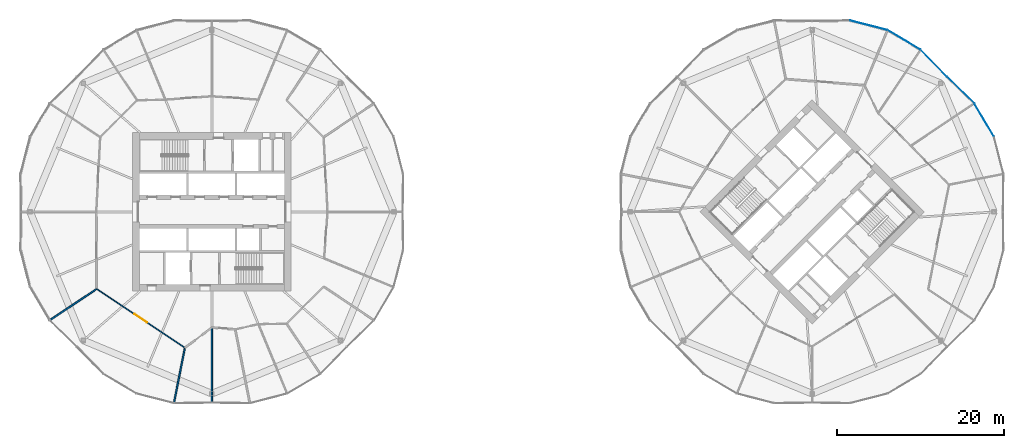
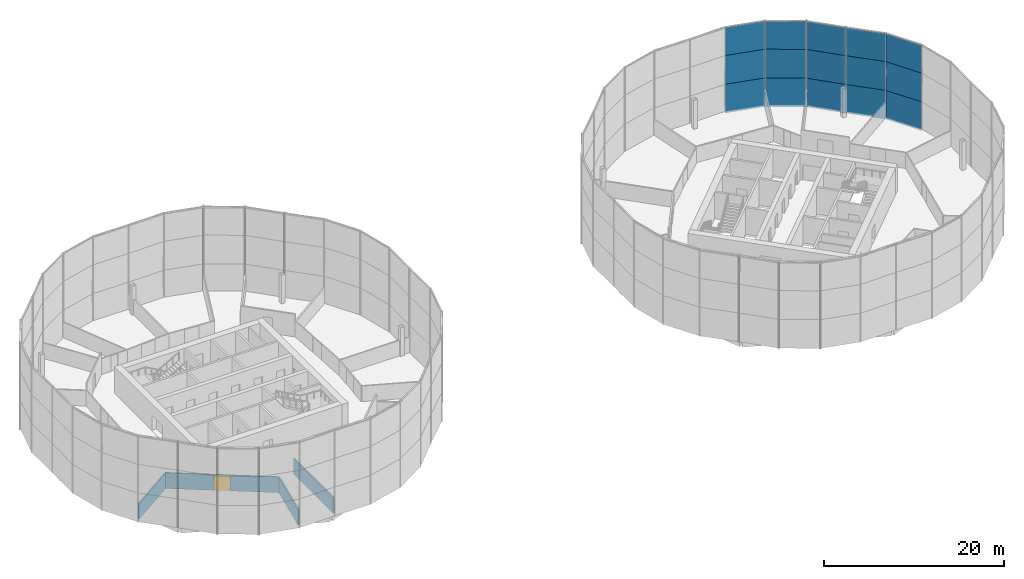
# One storey, part 19 of 25: 15 plates, 4 walls, 1 door, 1 opening, 2 elements without a shape of their own.
"""IFC4 building model written with IfcOpenShell, lengths in metres."""

from ifc_helpers import new_model, si_unit, direction, frame, frame_2d, origin, origin_2d, place, context, subcontext, project, spatial, rectangle, extrude, material, layer, layer_set, type_object, element, fill, aggregate, save


model = new_model("IFC4")

# Units and contexts
model_context = context("Model", 3, precision=1e-05, world=origin(), true_north=direction((0.0, 1.0)))
body_context = subcontext(model_context, "Body", "Model", "MODEL_VIEW")
ifc_project = project(units=[si_unit("LENGTHUNIT", "METRE"), si_unit("AREAUNIT", "SQUARE_METRE"), si_unit("VOLUMEUNIT", "CUBIC_METRE"), si_unit("PLANEANGLEUNIT", "RADIAN"), si_unit("MASSUNIT", "GRAM", prefix="KILO")], contexts=[model_context])

# Site, building, storey
site_placement = place(None, origin())
site = spatial("IfcSite", under=ifc_project, at=site_placement, CompositionType="ELEMENT")
building_placement = place(site_placement, origin())
building = spatial("IfcBuilding", under=site, at=building_placement, Name="Ogive Gate Towers", CompositionType="ELEMENT")
storey_placement = place(building_placement, frame((0.0, 0.0, 44.10009765625)))
storey = spatial("IfcBuildingStorey", under=building, at=storey_placement, Name="L09", CompositionType="ELEMENT", Elevation=44.10009765625)

# Curtain wall, plates
ifc_material_1 = material(Name="Pale metal aluminium", Category="aluminium")
curtain_wall_type = type_object("IfcCurtainWallType", Name="Tower unitised wall, low zone", PredefinedType="NOTDEFINED", material=ifc_material_1)
curtain_wall_1_placement = place(storey_placement, origin())
curtain_wall_1 = element("IfcCurtainWall", 1, at=curtain_wall_1_placement, inside=storey, type_object=curtain_wall_type, Name="CW1 T2 ECW01", PredefinedType="NOTDEFINED")
ifc_material_2 = material(Name="Clear glass", Category="glass")
ifc_layer_1 = layer(ifc_material_2, 0.028076171875)
ifc_layer_set_1 = layer_set([ifc_layer_1], Name="Tower unitised wall, low zone glass panel")
plate_type = type_object("IfcPlateType", Name="Tower unitised wall, low zone glass panel", PredefinedType="CURTAIN_PANEL", material=ifc_layer_set_1)
plate_1_placement = place(storey_placement, frame((56.62841796875, 11.01953125, -0.300048828125), z_axis=(0.0, 0.0, 1.0), x_axis=(-0.509176614511, 0.860662056347, 0.0)))
plate_1 = element("IfcPlate", 2, at=plate_1_placement, type_object=plate_type, Name="CW1 glass panel", PredefinedType="CURTAIN_PANEL", context=body_context, shape_type="SweptSolid", body=[
    extrude(rectangle(XDim=4.55712890625, YDim=0.028076171875, at=origin_2d()), origin(), (0.0, 0.0, 1.0), 3.89990234375),
])
plate_2_placement = place(storey_placement, frame((56.62841796875, 11.01953125, 3.599853515625), z_axis=(0.0, 0.0, 1.0), x_axis=(-0.509176614511, 0.860662056347, 0.0)))
plate_2 = element("IfcPlate", 3, at=plate_2_placement, type_object=plate_type, Name="CW1 glass panel", PredefinedType="CURTAIN_PANEL", context=body_context, shape_type="SweptSolid", body=[
    extrude(rectangle(XDim=4.55712890625, YDim=0.028076171875, at=origin_2d()), origin(), (0.0, 0.0, 1.0), 3.89990234375),
])
plate_3_placement = place(storey_placement, frame((56.62841796875, 11.01953125, 7.5), z_axis=(0.0, 0.0, 1.0), x_axis=(-0.509176614511, 0.860662056347, 0.0)))
plate_3 = element("IfcPlate", 4, at=plate_3_placement, type_object=plate_type, Name="CW1 glass panel", PredefinedType="CURTAIN_PANEL", context=body_context, shape_type="SweptSolid", body=[
    extrude(rectangle(XDim=4.55712890625, YDim=0.028076171875, at=origin_2d()), origin(), (0.0, 0.0, 1.0), 3.803955078125),
])
plate_4_placement = place(storey_placement, frame((53.8212890625, 14.601318359375, -0.300048828125), z_axis=(0.0, 0.0, 1.0), x_axis=(-0.715204973482, 0.698914762976, 0.0)))
plate_4 = element("IfcPlate", 5, at=plate_4_placement, type_object=plate_type, Name="CW1 glass panel", PredefinedType="CURTAIN_PANEL", context=body_context, shape_type="SweptSolid", body=[
    extrude(rectangle(XDim=4.5, YDim=0.028076171875, at=origin_2d()), origin(), (0.0, 0.0, 1.0), 3.89990234375),
])
plate_5_placement = place(storey_placement, frame((53.8212890625, 14.601318359375, 3.599853515625), z_axis=(0.0, 0.0, 1.0), x_axis=(-0.715204973482, 0.698914762976, 0.0)))
plate_5 = element("IfcPlate", 6, at=plate_5_placement, type_object=plate_type, Name="CW1 glass panel", PredefinedType="CURTAIN_PANEL", context=body_context, shape_type="SweptSolid", body=[
    extrude(rectangle(XDim=4.5, YDim=0.028076171875, at=origin_2d()), origin(), (0.0, 0.0, 1.0), 3.89990234375),
])
plate_6_placement = place(storey_placement, frame((53.8212890625, 14.601318359375, 7.5), z_axis=(0.0, 0.0, 1.0), x_axis=(-0.715204973482, 0.698914762976, 0.0)))
plate_6 = element("IfcPlate", 7, at=plate_6_placement, type_object=plate_type, Name="CW1 glass panel", PredefinedType="CURTAIN_PANEL", context=body_context, shape_type="SweptSolid", body=[
    extrude(rectangle(XDim=4.5, YDim=0.028076171875, at=origin_2d()), origin(), (0.0, 0.0, 1.0), 3.803955078125),
])
aggregate(curtain_wall_1, [plate_1, plate_2, plate_3, plate_4, plate_5, plate_6])

curtain_wall_2_placement = place(storey_placement, origin())
curtain_wall_2 = element("IfcCurtainWall", 8, at=curtain_wall_2_placement, inside=storey, type_object=curtain_wall_type, Name="CW1 T2 ECW02", PredefinedType="NOTDEFINED")
plate_7_placement = place(storey_placement, frame((50.601318359375, 17.8212890625, -0.300048828125), z_axis=(0.0, 0.0, 1.0), x_axis=(-0.698914762976, 0.715204973482, 0.0)))
plate_7 = element("IfcPlate", 9, at=plate_7_placement, type_object=plate_type, Name="CW1 glass panel", PredefinedType="CURTAIN_PANEL", context=body_context, shape_type="SweptSolid", body=[
    extrude(rectangle(XDim=4.5, YDim=0.028076171875, at=origin_2d()), origin(), (0.0, 0.0, 1.0), 3.89990234375),
])
plate_8_placement = place(storey_placement, frame((50.601318359375, 17.8212890625, 3.599853515625), z_axis=(0.0, 0.0, 1.0), x_axis=(-0.698914762976, 0.715204973482, 0.0)))
plate_8 = element("IfcPlate", 10, at=plate_8_placement, type_object=plate_type, Name="CW1 glass panel", PredefinedType="CURTAIN_PANEL", context=body_context, shape_type="SweptSolid", body=[
    extrude(rectangle(XDim=4.5, YDim=0.028076171875, at=origin_2d()), origin(), (0.0, 0.0, 1.0), 3.89990234375),
])
plate_9_placement = place(storey_placement, frame((50.601318359375, 17.8212890625, 7.5), z_axis=(0.0, 0.0, 1.0), x_axis=(-0.698914762976, 0.715204973482, 0.0)))
plate_9 = element("IfcPlate", 11, at=plate_9_placement, type_object=plate_type, Name="CW1 glass panel", PredefinedType="CURTAIN_PANEL", context=body_context, shape_type="SweptSolid", body=[
    extrude(rectangle(XDim=4.5, YDim=0.028076171875, at=origin_2d()), origin(), (0.0, 0.0, 1.0), 3.803955078125),
])
plate_10_placement = place(storey_placement, frame((47.01953125, 20.62841796875, -0.300048828125), z_axis=(0.0, 0.0, 1.0), x_axis=(-0.860662056347, 0.509176614511, 0.0)))
plate_10 = element("IfcPlate", 12, at=plate_10_placement, type_object=plate_type, Name="CW1 glass panel", PredefinedType="CURTAIN_PANEL", context=body_context, shape_type="SweptSolid", body=[
    extrude(rectangle(XDim=4.55712890625, YDim=0.028076171875, at=origin_2d()), origin(), (0.0, 0.0, 1.0), 3.89990234375),
])
plate_11_placement = place(storey_placement, frame((47.01953125, 20.62841796875, 3.599853515625), z_axis=(0.0, 0.0, 1.0), x_axis=(-0.860662056347, 0.509176614511, 0.0)))
plate_11 = element("IfcPlate", 13, at=plate_11_placement, type_object=plate_type, Name="CW1 glass panel", PredefinedType="CURTAIN_PANEL", context=body_context, shape_type="SweptSolid", body=[
    extrude(rectangle(XDim=4.55712890625, YDim=0.028076171875, at=origin_2d()), origin(), (0.0, 0.0, 1.0), 3.89990234375),
])
plate_12_placement = place(storey_placement, frame((47.01953125, 20.62841796875, 7.5), z_axis=(0.0, 0.0, 1.0), x_axis=(-0.860662056347, 0.509176614511, 0.0)))
plate_12 = element("IfcPlate", 14, at=plate_12_placement, type_object=plate_type, Name="CW1 glass panel", PredefinedType="CURTAIN_PANEL", context=body_context, shape_type="SweptSolid", body=[
    extrude(rectangle(XDim=4.55712890625, YDim=0.028076171875, at=origin_2d()), origin(), (0.0, 0.0, 1.0), 3.803955078125),
])
plate_13_placement = place(storey_placement, frame((42.794677734375, 22.37841796875, -0.300048828125), z_axis=(0.0, 0.0, 1.0), x_axis=(-0.96862655095, 0.248520833726, 0.0)))
plate_13 = element("IfcPlate", 15, at=plate_13_placement, type_object=plate_type, Name="CW1 glass panel", PredefinedType="CURTAIN_PANEL", context=body_context, shape_type="SweptSolid", body=[
    extrude(rectangle(XDim=4.55712890625, YDim=0.028076171875, at=origin_2d()), origin(), (0.0, 0.0, 1.0), 3.89990234375),
])
plate_14_placement = place(storey_placement, frame((42.794677734375, 22.37841796875, 3.599853515625), z_axis=(0.0, 0.0, 1.0), x_axis=(-0.96862655095, 0.248520833726, 0.0)))
plate_14 = element("IfcPlate", 16, at=plate_14_placement, type_object=plate_type, Name="CW1 glass panel", PredefinedType="CURTAIN_PANEL", context=body_context, shape_type="SweptSolid", body=[
    extrude(rectangle(XDim=4.55712890625, YDim=0.028076171875, at=origin_2d()), origin(), (0.0, 0.0, 1.0), 3.89990234375),
])
plate_15_placement = place(storey_placement, frame((42.794677734375, 22.37841796875, 7.5), z_axis=(0.0, 0.0, 1.0), x_axis=(-0.96862655095, 0.248520833726, 0.0)))
plate_15 = element("IfcPlate", 17, at=plate_15_placement, type_object=plate_type, Name="CW1 glass panel", PredefinedType="CURTAIN_PANEL", context=body_context, shape_type="SweptSolid", body=[
    extrude(rectangle(XDim=4.55712890625, YDim=0.028076171875, at=origin_2d()), origin(), (0.0, 0.0, 1.0), 3.803955078125),
])
aggregate(curtain_wall_2, [plate_7, plate_8, plate_9, plate_10, plate_11, plate_12, plate_13, plate_14, plate_15])

# Walls
ifc_material_3 = material(Name="Gypsum board acoustic partition")
ifc_layer_2 = layer(ifc_material_3, 0.175048828125)
ifc_layer_set_2 = layer_set([ifc_layer_2], Name="Acoustic partition 175")
wall_type_1 = type_object("IfcWallType", Name="Acoustic partition 175", PredefinedType="PARTITIONING", material=ifc_layer_set_2)
wall_1_placement = place(storey_placement, frame((-55.36865234375, -12.950927734375, 0.0), z_axis=(0.0, 0.0, 1.0), x_axis=(0.831291653467, 0.555836474941, 0.0)))
element("IfcWall", 18, at=wall_1_placement, inside=storey, type_object=wall_type_1, Name="Partition T1-L09-010", PredefinedType="PARTITIONING", context=body_context, shape_type="SweptSolid", body=[
    extrude(rectangle(XDim=6.591552734375, YDim=0.175048828125, at=frame_2d((3.2958984375, 0.0))), origin(), (0.0, 0.0, 1.0), 2.099853515625),
])
wall_2_placement = place(storey_placement, frame((-40.5380859375, -22.853271484375, 0.0), z_axis=(0.0, 0.0, 1.0), x_axis=(0.194791079336, 0.98084475602, 0.0)))
element("IfcWall", 19, at=wall_2_placement, inside=storey, type_object=wall_type_1, Name="Partition T1-L09-011", PredefinedType="PARTITIONING", context=body_context, shape_type="SweptSolid", body=[
    extrude(rectangle(XDim=6.59130859375, YDim=0.175048828125, at=frame_2d((3.295654296875, 0.0))), origin(), (0.0, 0.0, 1.0), 2.099853515625),
])
wall_3_placement = place(storey_placement, frame((-36.0, -22.799072265625, 0.0), z_axis=(0.0, 0.0, 1.0), x_axis=(0.0, 1.0, 0.0)))
element("IfcWall", 20, at=wall_3_placement, inside=storey, type_object=wall_type_1, Name="Partition T1-L09-012", PredefinedType="PARTITIONING", context=body_context, shape_type="SweptSolid", body=[
    extrude(rectangle(XDim=8.841552734375, YDim=0.175048828125, at=frame_2d((4.4208984375, 0.0))), origin(), (0.0, 0.0, 1.0), 2.099853515625),
])

# Wall, opening, door
ifc_material_4 = material(Name="Gypsum board partition")
ifc_layer_3 = layer(ifc_material_4, 0.125)
ifc_layer_set_3 = layer_set([ifc_layer_3], Name="Partition 125")
wall_type_2 = type_object("IfcWallType", Name="Partition 125", PredefinedType="PARTITIONING", material=ifc_layer_set_3)
wall_4_placement = place(storey_placement, frame((-49.81640625, -9.238525390625, 0.0), z_axis=(0.0, 0.0, 1.0), x_axis=(0.831651465054, -0.55529797467, 0.0)))
wall_4 = element("IfcWall", 21, at=wall_4_placement, inside=storey, type_object=wall_type_2, Name="Partition T1-L09-024", PredefinedType="PARTITIONING", context=body_context, shape_type="SweptSolid", body=[
    extrude(rectangle(XDim=12.720703125, YDim=0.125, at=frame_2d((6.3603515625, 0.0))), origin(), (0.0, 0.0, 1.0), 2.139892578125),
])
opening_placement = place(wall_4_placement, frame((5.4599609375, 0.0, 0.0)))
opening = element("IfcOpeningElement", 22, at=opening_placement, cuts=wall_4, Name="Opening T1-L09-D07", PredefinedType="OPENING", context=body_context, shape_type="SweptSolid", body=[
    extrude(rectangle(XDim=1.800048828125, YDim=2.10009765625, at=frame_2d((0.89990234375, 1.050048828125))), frame((0.0, 0.072509765625, 0.0), z_axis=(0.0, -1.0, 0.0), x_axis=(1.0, 0.0, 0.0)), (0.0, 0.0, 1.0), 0.14501953125),
])
ifc_material_5 = material(Name="Timber door", Category="wood")
door_type = type_object("IfcDoorType", Name="Door pair 1800", OperationType="NOTDEFINED", PredefinedType="DOOR", material=ifc_material_5)
door_placement = place(opening_placement, origin())
door = element("IfcDoor", 23, at=door_placement, inside=storey, type_object=door_type, Name="Door T1-L09-D07", OperationType="DOUBLE_DOOR_DOUBLE_SWING", OverallHeight=2.10009765625, OverallWidth=1.800048828125, PredefinedType="DOOR", context=body_context, shape_type="SweptSolid", body=[
    extrude(rectangle(XDim=1.800048828125, YDim=2.10009765625, at=frame_2d((0.89990234375, 1.050048828125))), frame((0.0, 0.02490234375, 0.0), z_axis=(0.0, -1.0, 0.0), x_axis=(1.0, 0.0, 0.0)), (0.0, 0.0, 1.0), 0.050048828125),
])
fill(opening, door)

save(model, "model.ifc")
